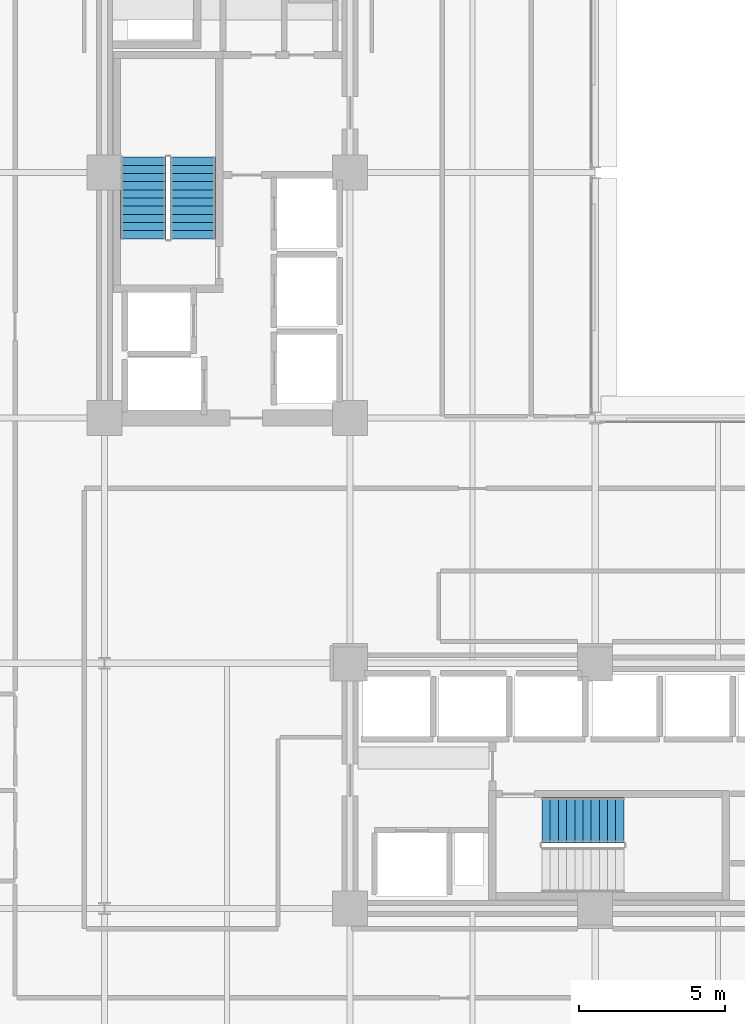
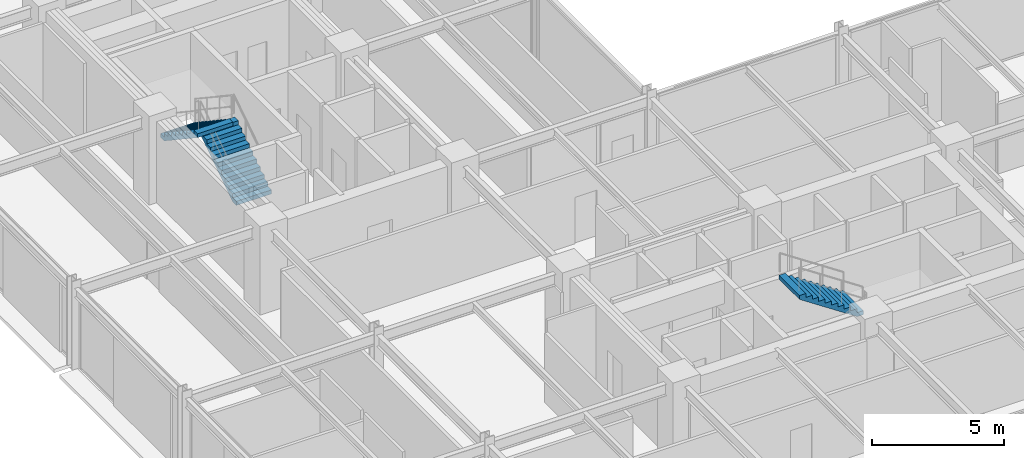
# One storey, part 36 of 40: 3 stair flights, 2 elements without a shape of their own.
"""IFC4 building model written with IfcOpenShell, lengths in metres."""

from ifc_helpers import new_model, si_unit, direction, frame, origin, place, context, subcontext, project, spatial, polyline, outline, extrude, material, type_object, element, aggregate, save


model = new_model("IFC4")

# Units and contexts
model_context = context("Model", 3, precision=1e-05, world=origin(), true_north=direction((0.0, 1.0)))
body_context = subcontext(model_context, "Body", "Model", "MODEL_VIEW")
ifc_project = project(units=[si_unit("LENGTHUNIT", "METRE"), si_unit("AREAUNIT", "SQUARE_METRE"), si_unit("VOLUMEUNIT", "CUBIC_METRE"), si_unit("PLANEANGLEUNIT", "RADIAN"), si_unit("MASSUNIT", "GRAM", prefix="KILO")], contexts=[model_context])

# Site, building, storey
site_placement = place(None, origin())
site = spatial("IfcSite", under=ifc_project, at=site_placement, CompositionType="ELEMENT")
building_placement = place(site_placement, origin())
building = spatial("IfcBuilding", under=site, at=building_placement, Name="Nerrivon Quay Data Exchange", CompositionType="ELEMENT")
storey_placement = place(building_placement, frame((0.0, 0.0, 109.0)))
storey = spatial("IfcBuildingStorey", under=building, at=storey_placement, Name="L25", CompositionType="ELEMENT", Elevation=109.0)

# Stair, stair flights
ifc_material = material(Name="Concrete N50 (50 MPa)", Category="concrete")
stair_type = type_object("IfcStairType", Name="STAIR-DOG-41", PredefinedType="HALF_TURN_STAIR", material=ifc_material)
stair_1_placement = place(storey_placement, origin())
stair_1 = element("IfcStair", 1, at=stair_1_placement, inside=storey, type_object=stair_type, Name="L25 West Core Fire Stair ST01", PredefinedType="HALF_TURN_STAIR")
stair_flight_type = type_object("IfcStairFlightType", Name="FLIGHT-DOG-41", PredefinedType="STRAIGHT", material=ifc_material)
stair_flight_1_placement = place(storey_placement, frame((11.425048828125, 31.330078125, 0.0), z_axis=(0.0, 0.0, 1.0), x_axis=(0.0, 1.0, 0.0)))
stair_flight_1 = element("IfcStairFlight", 2, at=stair_flight_1_placement, type_object=stair_flight_type, Name="ST01 flight 1", NumberOfRisers=11, NumberOfTreads=10, PredefinedType="STRAIGHT", RiserHeight=0.186363636, TreadLength=0.28, context=body_context, shape_type="SweptSolid", body=[
    extrude(outline(polyline([(0.0, 0.0), (0.0, 0.186279296875), (0.280029296875, 0.186279296875), (0.280029296875, 0.372802734375), (0.56005859375, 0.372802734375), (0.56005859375, 0.55908203125), (0.840087890625, 0.55908203125), (0.840087890625, 0.745361328125), (1.1201171875, 0.745361328125), (1.1201171875, 0.931884765625), (1.39990234375, 0.931884765625), (1.39990234375, 1.1181640625), (1.679931640625, 1.1181640625), (1.679931640625, 1.304443359375), (1.9599609375, 1.304443359375), (1.9599609375, 1.490966796875), (2.239990234375, 1.490966796875), (2.239990234375, 1.67724609375), (2.52001953125, 1.67724609375), (2.52001953125, 1.863525390625), (2.800048828125, 1.863525390625), (2.800048828125, 2.050048828125), (2.800048828125, 1.68359375), (0.2705078125, 0.0), (0.0, 0.0)])), frame((0.0, 0.77490234375, 0.0), z_axis=(0.0, -1.0, 0.0), x_axis=(1.0, 0.0, 0.0)), (0.0, 0.0, 1.0), 1.550048828125),
])
stair_flight_2_placement = place(storey_placement, frame((9.72509765625, 34.1298828125, 2.050048828125), z_axis=(0.0, 0.0, 1.0), x_axis=(0.0, -1.0, 0.0)))
stair_flight_2 = element("IfcStairFlight", 3, at=stair_flight_2_placement, type_object=stair_flight_type, Name="ST01 flight 2", NumberOfRisers=11, NumberOfTreads=10, PredefinedType="STRAIGHT", RiserHeight=0.186363636, TreadLength=0.28, context=body_context, shape_type="SweptSolid", body=[
    extrude(outline(polyline([(0.0, 0.0), (0.0, 0.186279296875), (0.280029296875, 0.186279296875), (0.280029296875, 0.372802734375), (0.56005859375, 0.372802734375), (0.56005859375, 0.55908203125), (0.840087890625, 0.55908203125), (0.840087890625, 0.745361328125), (1.1201171875, 0.745361328125), (1.1201171875, 0.931884765625), (1.39990234375, 0.931884765625), (1.39990234375, 1.1181640625), (1.679931640625, 1.1181640625), (1.679931640625, 1.304443359375), (1.9599609375, 1.304443359375), (1.9599609375, 1.490966796875), (2.239990234375, 1.490966796875), (2.239990234375, 1.67724609375), (2.52001953125, 1.67724609375), (2.52001953125, 1.863525390625), (2.800048828125, 1.863525390625), (2.800048828125, 2.050048828125), (2.800048828125, 1.68359375), (0.2705078125, 0.0), (0.0, 0.0)])), frame((0.0, 0.77490234375, 0.0), z_axis=(0.0, -1.0, 0.0), x_axis=(1.0, 0.0, 0.0)), (0.0, 0.0, 1.0), 1.550048828125),
])
aggregate(stair_1, [stair_flight_1, stair_flight_2])

# Stair, stair flight
stair_2_placement = place(storey_placement, origin())
stair_2 = element("IfcStair", 4, at=stair_2_placement, inside=storey, type_object=stair_type, Name="L25 East Core Fire Stair ST02", PredefinedType="HALF_TURN_STAIR")
stair_flight_3_placement = place(storey_placement, frame((26.179931640625, 11.425048828125, 2.050048828125), z_axis=(0.0, 0.0, 1.0), x_axis=(-1.0, 0.0, 0.0)))
stair_flight_3 = element("IfcStairFlight", 5, at=stair_flight_3_placement, type_object=stair_flight_type, Name="ST02 flight 2", NumberOfRisers=11, NumberOfTreads=10, PredefinedType="STRAIGHT", RiserHeight=0.186363636, TreadLength=0.28, context=body_context, shape_type="SweptSolid", body=[
    extrude(outline(polyline([(0.0, 0.0), (0.0, 0.186279296875), (0.280029296875, 0.186279296875), (0.280029296875, 0.372802734375), (0.56005859375, 0.372802734375), (0.56005859375, 0.55908203125), (0.840087890625, 0.55908203125), (0.840087890625, 0.745361328125), (1.1201171875, 0.745361328125), (1.1201171875, 0.931884765625), (1.39990234375, 0.931884765625), (1.39990234375, 1.1181640625), (1.679931640625, 1.1181640625), (1.679931640625, 1.304443359375), (1.9599609375, 1.304443359375), (1.9599609375, 1.490966796875), (2.239990234375, 1.490966796875), (2.239990234375, 1.67724609375), (2.52001953125, 1.67724609375), (2.52001953125, 1.863525390625), (2.800048828125, 1.863525390625), (2.800048828125, 2.050048828125), (2.800048828125, 1.68359375), (0.2705078125, 0.0), (0.0, 0.0)])), frame((0.0, 0.77490234375, 0.0), z_axis=(0.0, -1.0, 0.0), x_axis=(1.0, 0.0, 0.0)), (0.0, 0.0, 1.0), 1.550048828125),
])
aggregate(stair_2, [stair_flight_3])

save(model, "model.ifc")
